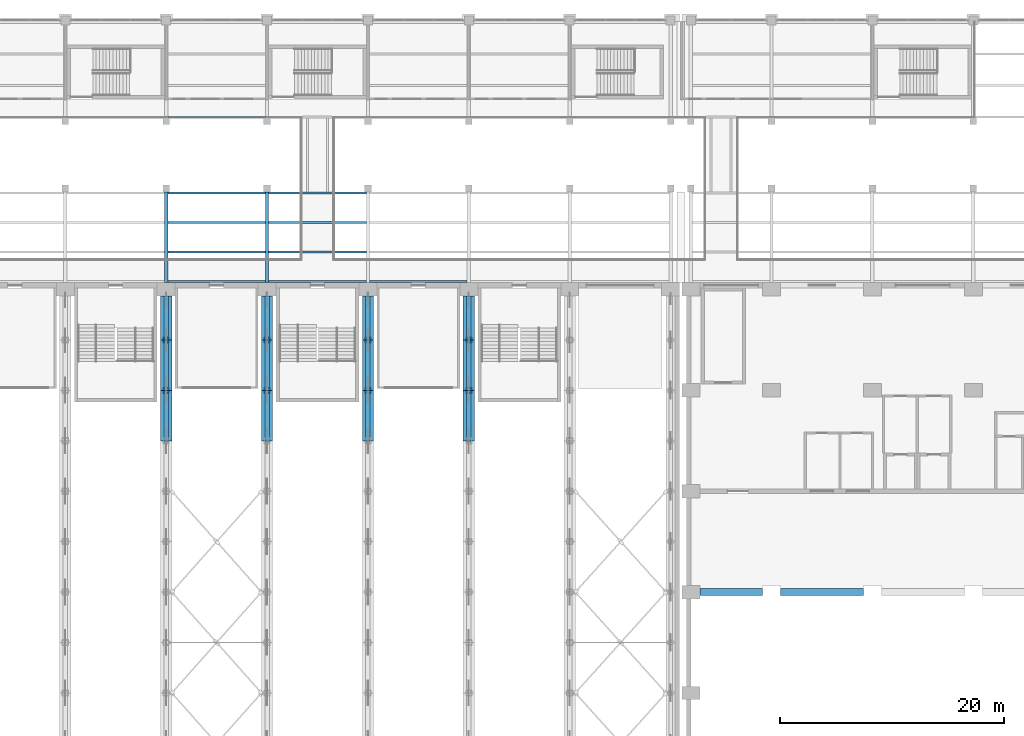
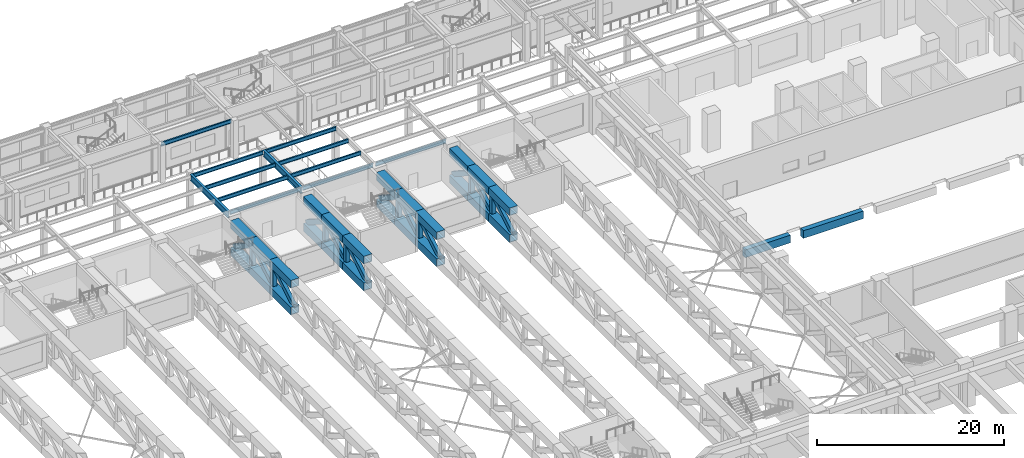
# One storey, part 17 of 76: 44 members, 14 beams.
"""IFC4 building model written with IfcOpenShell, lengths in metres."""

from ifc_helpers import new_model, si_unit, direction, frame, origin, origin_2d, place, context, subcontext, project, spatial, rectangle, hollow_rectangle, i_section, extrude, material, material_profile, profile_set, type_object, element, save


model = new_model("IFC4")

# Units and contexts
model_context = context("Model", 3, precision=1e-05, world=origin(), true_north=direction((0.0, 1.0)))
body_context = subcontext(model_context, "Body", "Model", "MODEL_VIEW")
ifc_project = project(units=[si_unit("LENGTHUNIT", "METRE"), si_unit("AREAUNIT", "SQUARE_METRE"), si_unit("VOLUMEUNIT", "CUBIC_METRE"), si_unit("PLANEANGLEUNIT", "RADIAN"), si_unit("MASSUNIT", "GRAM", prefix="KILO")], contexts=[model_context])

# Site, building, storey
site_placement = place(None, origin())
site = spatial("IfcSite", under=ifc_project, at=site_placement, CompositionType="ELEMENT")
building_placement = place(site_placement, origin())
building = spatial("IfcBuilding", under=site, at=building_placement, Name="Aravalli Gate Trade Fair Centre", CompositionType="ELEMENT")
storey_placement = place(building_placement, frame((0.0, 0.0, 10.0)))
storey = spatial("IfcBuildingStorey", under=building, at=storey_placement, Name="L02", CompositionType="ELEMENT", Elevation=10.0)

# Beams
ifc_material_1 = material(Name="Concrete M45", Category="concrete")
ifc_material_profile_1 = material_profile(ifc_material_1, rectangle(XDim=0.60009765625, YDim=1.0, at=origin_2d()), Name="RC 600x1000")
ifc_profile_set_1 = profile_set([ifc_material_profile_1], Name="Concrete M45")
beam_type_1 = type_object("IfcBeamType", Name="Congress RC beam 600 x 1000", PredefinedType="BEAM", material=ifc_profile_set_1)
beam_1_placement = place(storey_placement, frame((107.60009765625, 82.0, -0.5), z_axis=(1.0, 0.0, 0.0), x_axis=(0.0, 1.0, 0.0)))
element("IfcBeam", 1, at=beam_1_placement, inside=storey, type_object=beam_type_1, Name="Balcony front beam L02 107 to 114", PredefinedType="BEAM", context=body_context, shape_type="SweptSolid", body=[
    extrude(rectangle(XDim=0.60009765625, YDim=1.0, at=origin_2d()), origin(), (0.0, 0.0, 1.0), 5.599853515625),
])
beam_2_placement = place(storey_placement, frame((114.800048828125, 82.0, -0.5), z_axis=(1.0, 0.0, 0.0), x_axis=(0.0, 1.0, 0.0)))
element("IfcBeam", 2, at=beam_2_placement, inside=storey, type_object=beam_type_1, Name="Balcony front beam L02 114 to 123", PredefinedType="BEAM", context=body_context, shape_type="SweptSolid", body=[
    extrude(rectangle(XDim=0.60009765625, YDim=1.0, at=origin_2d()), origin(), (0.0, 0.0, 1.0), 7.39990234375),
])

# Members
ifc_material_2 = material(Name="Steel E350", Category="steel")
ifc_material_profile_2 = material_profile(ifc_material_2, hollow_rectangle(XDim=1.0, YDim=1.0, WallThickness=0.050048828125, at=origin_2d()), Name="BOX 1000x1000x50")
ifc_profile_set_2 = profile_set([ifc_material_profile_2], Name="Steel E350")
member_type_1 = type_object("IfcMemberType", Name="FT1 chord BOX 1000x1000x50", PredefinedType="CHORD", material=ifc_profile_set_2)
for number, where, z_axis, x_axis, name in (
    (3, (60.0, 95.5, 0.5), (0.0, 1.0, 0.0), (-1.0, 0.0, 0.0), "FT1 line 7 bottom chord 12"),
    (4, (60.0, 95.5, 4.0), (0.0, 1.0, 0.0), (-1.0, 0.0, 0.0), "FT1 line 7 top chord 12"),
    (5, (60.0, 100.0, 0.5), (0.0, 1.0, 0.0), (-1.0, 0.0, 0.0), "FT1 line 7 bottom chord 13"),
    (6, (60.0, 100.0, 4.0), (0.0, 1.0, 0.0), (-1.0, 0.0, 0.0), "FT1 line 7 top chord 13"),
):
    element("IfcMember", number, at=place(storey_placement, frame(where, z_axis=z_axis, x_axis=x_axis)), inside=storey, type_object=member_type_1, Name=name, PredefinedType="CHORD", context=body_context, shape_type="SweptSolid", body=[
        extrude(hollow_rectangle(XDim=1.0, YDim=1.0, WallThickness=0.050048828125, at=origin_2d()), origin(), (0.0, 0.0, 1.0), 4.5),
    ])
for number, where, z_axis, x_axis, name in (
    (7, (60.0, 104.5, 0.5), (0.0, 1.0, 0.0), (-1.0, 0.0, 0.0), "FT1 line 7 bottom chord 14"),
    (8, (60.0, 104.5, 4.0), (0.0, 1.0, 0.0), (-1.0, 0.0, 0.0), "FT1 line 7 top chord 14"),
):
    element("IfcMember", number, at=place(storey_placement, frame(where, z_axis=z_axis, x_axis=x_axis)), inside=storey, type_object=member_type_1, Name=name, PredefinedType="CHORD", context=body_context, shape_type="SweptSolid", body=[
        extrude(hollow_rectangle(XDim=1.0, YDim=1.0, WallThickness=0.050048828125, at=origin_2d()), origin(), (0.0, 0.0, 1.0), 3.89990234375),
    ])
for number, where, z_axis, x_axis, name in (
    (9, (69.0, 95.5, 0.5), (0.0, 1.0, 0.0), (-1.0, 0.0, 0.0), "FT1 line 8 bottom chord 12"),
    (10, (69.0, 95.5, 4.0), (0.0, 1.0, 0.0), (-1.0, 0.0, 0.0), "FT1 line 8 top chord 12"),
    (11, (69.0, 100.0, 0.5), (0.0, 1.0, 0.0), (-1.0, 0.0, 0.0), "FT1 line 8 bottom chord 13"),
    (12, (69.0, 100.0, 4.0), (0.0, 1.0, 0.0), (-1.0, 0.0, 0.0), "FT1 line 8 top chord 13"),
):
    element("IfcMember", number, at=place(storey_placement, frame(where, z_axis=z_axis, x_axis=x_axis)), inside=storey, type_object=member_type_1, Name=name, PredefinedType="CHORD", context=body_context, shape_type="SweptSolid", body=[
        extrude(hollow_rectangle(XDim=1.0, YDim=1.0, WallThickness=0.050048828125, at=origin_2d()), origin(), (0.0, 0.0, 1.0), 4.5),
    ])
for number, where, z_axis, x_axis, name in (
    (13, (69.0, 104.5, 0.5), (0.0, 1.0, 0.0), (-1.0, 0.0, 0.0), "FT1 line 8 bottom chord 14"),
    (14, (69.0, 104.5, 4.0), (0.0, 1.0, 0.0), (-1.0, 0.0, 0.0), "FT1 line 8 top chord 14"),
):
    element("IfcMember", number, at=place(storey_placement, frame(where, z_axis=z_axis, x_axis=x_axis)), inside=storey, type_object=member_type_1, Name=name, PredefinedType="CHORD", context=body_context, shape_type="SweptSolid", body=[
        extrude(hollow_rectangle(XDim=1.0, YDim=1.0, WallThickness=0.050048828125, at=origin_2d()), origin(), (0.0, 0.0, 1.0), 3.89990234375),
    ])
for number, where, z_axis, x_axis, name in (
    (15, (78.0, 95.5, 0.5), (0.0, 1.0, 0.0), (-1.0, 0.0, 0.0), "FT1 line 9 bottom chord 12"),
    (16, (78.0, 95.5, 4.0), (0.0, 1.0, 0.0), (-1.0, 0.0, 0.0), "FT1 line 9 top chord 12"),
    (17, (78.0, 100.0, 0.5), (0.0, 1.0, 0.0), (-1.0, 0.0, 0.0), "FT1 line 9 bottom chord 13"),
    (18, (78.0, 100.0, 4.0), (0.0, 1.0, 0.0), (-1.0, 0.0, 0.0), "FT1 line 9 top chord 13"),
):
    element("IfcMember", number, at=place(storey_placement, frame(where, z_axis=z_axis, x_axis=x_axis)), inside=storey, type_object=member_type_1, Name=name, PredefinedType="CHORD", context=body_context, shape_type="SweptSolid", body=[
        extrude(hollow_rectangle(XDim=1.0, YDim=1.0, WallThickness=0.050048828125, at=origin_2d()), origin(), (0.0, 0.0, 1.0), 4.5),
    ])
for number, where, z_axis, x_axis, name in (
    (19, (78.0, 104.5, 0.5), (0.0, 1.0, 0.0), (-1.0, 0.0, 0.0), "FT1 line 9 bottom chord 14"),
    (20, (78.0, 104.5, 4.0), (0.0, 1.0, 0.0), (-1.0, 0.0, 0.0), "FT1 line 9 top chord 14"),
):
    element("IfcMember", number, at=place(storey_placement, frame(where, z_axis=z_axis, x_axis=x_axis)), inside=storey, type_object=member_type_1, Name=name, PredefinedType="CHORD", context=body_context, shape_type="SweptSolid", body=[
        extrude(hollow_rectangle(XDim=1.0, YDim=1.0, WallThickness=0.050048828125, at=origin_2d()), origin(), (0.0, 0.0, 1.0), 3.89990234375),
    ])
for number, where, z_axis, x_axis, name in (
    (21, (87.0, 95.5, 0.5), (0.0, 1.0, 0.0), (-1.0, 0.0, 0.0), "FT1 line 10 bottom chord 12"),
    (22, (87.0, 95.5, 4.0), (0.0, 1.0, 0.0), (-1.0, 0.0, 0.0), "FT1 line 10 top chord 12"),
    (23, (87.0, 100.0, 0.5), (0.0, 1.0, 0.0), (-1.0, 0.0, 0.0), "FT1 line 10 bottom chord 13"),
    (24, (87.0, 100.0, 4.0), (0.0, 1.0, 0.0), (-1.0, 0.0, 0.0), "FT1 line 10 top chord 13"),
):
    element("IfcMember", number, at=place(storey_placement, frame(where, z_axis=z_axis, x_axis=x_axis)), inside=storey, type_object=member_type_1, Name=name, PredefinedType="CHORD", context=body_context, shape_type="SweptSolid", body=[
        extrude(hollow_rectangle(XDim=1.0, YDim=1.0, WallThickness=0.050048828125, at=origin_2d()), origin(), (0.0, 0.0, 1.0), 4.5),
    ])
for number, where, z_axis, x_axis, name in (
    (25, (87.0, 104.5, 0.5), (0.0, 1.0, 0.0), (-1.0, 0.0, 0.0), "FT1 line 10 bottom chord 14"),
    (26, (87.0, 104.5, 4.0), (0.0, 1.0, 0.0), (-1.0, 0.0, 0.0), "FT1 line 10 top chord 14"),
):
    element("IfcMember", number, at=place(storey_placement, frame(where, z_axis=z_axis, x_axis=x_axis)), inside=storey, type_object=member_type_1, Name=name, PredefinedType="CHORD", context=body_context, shape_type="SweptSolid", body=[
        extrude(hollow_rectangle(XDim=1.0, YDim=1.0, WallThickness=0.050048828125, at=origin_2d()), origin(), (0.0, 0.0, 1.0), 3.89990234375),
    ])
ifc_material_profile_3 = material_profile(ifc_material_2, hollow_rectangle(XDim=0.39990234375, YDim=0.60009765625, WallThickness=0.030029296875, at=origin_2d()), Name="RHS 600x400x30")
ifc_profile_set_3 = profile_set([ifc_material_profile_3], Name="Steel E350")
member_type_2 = type_object("IfcMemberType", Name="FT1 diagonal RHS 600x400x30", PredefinedType="BRACE", material=ifc_profile_set_3)
for number, where, z_axis, x_axis, name in (
    (27, (60.0, 99.89501953125, 3.5), (0.0, -0.863999951417, -0.503491890651), (1.0, 0.0, 0.0), "FT1 line 7 diagonal 12"),
    (28, (60.0, 104.39501953125, 3.5), (0.0, -0.863999951417, -0.503491890651), (1.0, 0.0, 0.0), "FT1 line 7 diagonal 13"),
):
    element("IfcMember", number, at=place(storey_placement, frame(where, z_axis=z_axis, x_axis=x_axis)), inside=storey, type_object=member_type_2, Name=name, PredefinedType="BRACE", context=body_context, shape_type="SweptSolid", body=[
        extrude(hollow_rectangle(XDim=0.39990234375, YDim=0.60009765625, WallThickness=0.030029296875, at=origin_2d()), origin(), (0.0, 0.0, 1.0), 4.96533203125),
    ])
member_1_placement = place(storey_placement, frame((60.0, 108.39990234375, 1.0), z_axis=(0.0, -0.841872999265, 0.53967569253), x_axis=(1.0, 0.0, 0.0)))
element("IfcMember", 29, at=member_1_placement, inside=storey, type_object=member_type_2, Name="FT1 line 7 diagonal 14", PredefinedType="BRACE", context=body_context, shape_type="SweptSolid", body=[
    extrude(hollow_rectangle(XDim=0.39990234375, YDim=0.60009765625, WallThickness=0.030029296875, at=origin_2d()), origin(), (0.0, 0.0, 1.0), 4.63232421875),
])
for number, where, z_axis, x_axis, name in (
    (30, (69.0, 99.89501953125, 3.5), (0.0, -0.863999951417, -0.503491890651), (1.0, 0.0, 0.0), "FT1 line 8 diagonal 12"),
    (31, (69.0, 104.39501953125, 3.5), (0.0, -0.863999951417, -0.503491890651), (1.0, 0.0, 0.0), "FT1 line 8 diagonal 13"),
):
    element("IfcMember", number, at=place(storey_placement, frame(where, z_axis=z_axis, x_axis=x_axis)), inside=storey, type_object=member_type_2, Name=name, PredefinedType="BRACE", context=body_context, shape_type="SweptSolid", body=[
        extrude(hollow_rectangle(XDim=0.39990234375, YDim=0.60009765625, WallThickness=0.030029296875, at=origin_2d()), origin(), (0.0, 0.0, 1.0), 4.96533203125),
    ])
member_2_placement = place(storey_placement, frame((69.0, 108.39990234375, 1.0), z_axis=(0.0, -0.841872999265, 0.53967569253), x_axis=(1.0, 0.0, 0.0)))
element("IfcMember", 32, at=member_2_placement, inside=storey, type_object=member_type_2, Name="FT1 line 8 diagonal 14", PredefinedType="BRACE", context=body_context, shape_type="SweptSolid", body=[
    extrude(hollow_rectangle(XDim=0.39990234375, YDim=0.60009765625, WallThickness=0.030029296875, at=origin_2d()), origin(), (0.0, 0.0, 1.0), 4.63232421875),
])
for number, where, z_axis, x_axis, name in (
    (33, (78.0, 99.89501953125, 3.5), (0.0, -0.863999951417, -0.503491890651), (1.0, 0.0, 0.0), "FT1 line 9 diagonal 12"),
    (34, (78.0, 104.39501953125, 3.5), (0.0, -0.863999951417, -0.503491890651), (1.0, 0.0, 0.0), "FT1 line 9 diagonal 13"),
):
    element("IfcMember", number, at=place(storey_placement, frame(where, z_axis=z_axis, x_axis=x_axis)), inside=storey, type_object=member_type_2, Name=name, PredefinedType="BRACE", context=body_context, shape_type="SweptSolid", body=[
        extrude(hollow_rectangle(XDim=0.39990234375, YDim=0.60009765625, WallThickness=0.030029296875, at=origin_2d()), origin(), (0.0, 0.0, 1.0), 4.96533203125),
    ])
member_3_placement = place(storey_placement, frame((78.0, 108.39990234375, 1.0), z_axis=(0.0, -0.841872999265, 0.53967569253), x_axis=(1.0, 0.0, 0.0)))
element("IfcMember", 35, at=member_3_placement, inside=storey, type_object=member_type_2, Name="FT1 line 9 diagonal 14", PredefinedType="BRACE", context=body_context, shape_type="SweptSolid", body=[
    extrude(hollow_rectangle(XDim=0.39990234375, YDim=0.60009765625, WallThickness=0.030029296875, at=origin_2d()), origin(), (0.0, 0.0, 1.0), 4.63232421875),
])
for number, where, z_axis, x_axis, name in (
    (36, (87.0, 99.89501953125, 3.5), (0.0, -0.863999951417, -0.503491890651), (1.0, 0.0, 0.0), "FT1 line 10 diagonal 12"),
    (37, (87.0, 104.39501953125, 3.5), (0.0, -0.863999951417, -0.503491890651), (1.0, 0.0, 0.0), "FT1 line 10 diagonal 13"),
):
    element("IfcMember", number, at=place(storey_placement, frame(where, z_axis=z_axis, x_axis=x_axis)), inside=storey, type_object=member_type_2, Name=name, PredefinedType="BRACE", context=body_context, shape_type="SweptSolid", body=[
        extrude(hollow_rectangle(XDim=0.39990234375, YDim=0.60009765625, WallThickness=0.030029296875, at=origin_2d()), origin(), (0.0, 0.0, 1.0), 4.96533203125),
    ])
member_4_placement = place(storey_placement, frame((87.0, 108.39990234375, 1.0), z_axis=(0.0, -0.841872999265, 0.53967569253), x_axis=(1.0, 0.0, 0.0)))
element("IfcMember", 38, at=member_4_placement, inside=storey, type_object=member_type_2, Name="FT1 line 10 diagonal 14", PredefinedType="BRACE", context=body_context, shape_type="SweptSolid", body=[
    extrude(hollow_rectangle(XDim=0.39990234375, YDim=0.60009765625, WallThickness=0.030029296875, at=origin_2d()), origin(), (0.0, 0.0, 1.0), 4.63232421875),
])
ifc_material_profile_4 = material_profile(ifc_material_2, hollow_rectangle(XDim=0.5, YDim=0.5, WallThickness=0.02490234375, at=origin_2d()), Name="BOX 500x500x25")
ifc_profile_set_4 = profile_set([ifc_material_profile_4], Name="Steel E350")
member_type_3 = type_object("IfcMemberType", Name="FT1 post BOX 500x500x25", PredefinedType="POST", material=ifc_profile_set_4)
for number, where, z_axis, x_axis, name in (
    (39, (60.0, 100.0, 1.0), (0.0, 0.0, 1.0), (1.0, 0.0, 0.0), "FT1 line 7 post 12"),
    (40, (60.0, 104.5, 1.0), (0.0, 0.0, 1.0), (1.0, 0.0, 0.0), "FT1 line 7 post 13"),
    (41, (69.0, 100.0, 1.0), (0.0, 0.0, 1.0), (1.0, 0.0, 0.0), "FT1 line 8 post 12"),
    (42, (69.0, 104.5, 1.0), (0.0, 0.0, 1.0), (1.0, 0.0, 0.0), "FT1 line 8 post 13"),
    (43, (78.0, 100.0, 1.0), (0.0, 0.0, 1.0), (1.0, 0.0, 0.0), "FT1 line 9 post 12"),
    (44, (78.0, 104.5, 1.0), (0.0, 0.0, 1.0), (1.0, 0.0, 0.0), "FT1 line 9 post 13"),
    (45, (87.0, 100.0, 1.0), (0.0, 0.0, 1.0), (1.0, 0.0, 0.0), "FT1 line 10 post 12"),
    (46, (87.0, 104.5, 1.0), (0.0, 0.0, 1.0), (1.0, 0.0, 0.0), "FT1 line 10 post 13"),
):
    element("IfcMember", number, at=place(storey_placement, frame(where, z_axis=z_axis, x_axis=x_axis)), inside=storey, type_object=member_type_3, Name=name, PredefinedType="POST", context=body_context, shape_type="SweptSolid", body=[
        extrude(hollow_rectangle(XDim=0.5, YDim=0.5, WallThickness=0.02490234375, at=origin_2d()), origin(), (0.0, 0.0, 1.0), 2.5),
    ])

# Beams
ifc_material_profile_5 = material_profile(ifc_material_2, i_section(OverallWidth=0.179931640625, OverallDepth=0.5, WebThickness=0.01025390625, FlangeThickness=0.01708984375, at=origin_2d()), Name="ISMB 500")
ifc_profile_set_5 = profile_set([ifc_material_profile_5], Name="Steel E350")
beam_type_2 = type_object("IfcBeamType", Name="ISMB 500 gallery secondary beam", PredefinedType="JOIST", material=ifc_profile_set_5)
for number, where, z_axis, x_axis, name in (
    (47, (60.14990234375, 109.68994140625, 4.550048828125), (1.0, 0.0, 0.0), (0.0, 1.0, 0.0), "Gallery beam S0 07-08 L03"),
    (48, (60.14990234375, 112.330078125, 4.550048828125), (1.0, 0.0, 0.0), (0.0, 1.0, 0.0), "Gallery beam S1 07-08 L03"),
    (49, (60.14990234375, 114.969970703125, 4.550048828125), (1.0, 0.0, 0.0), (0.0, 1.0, 0.0), "Gallery beam S2 07-08 L03"),
    (50, (60.14990234375, 117.610107421875, 4.550048828125), (1.0, 0.0, 0.0), (0.0, 1.0, 0.0), "Gallery beam S3 07-08 L03"),
    (51, (60.14990234375, 124.389892578125, 4.550048828125), (1.0, 0.0, 0.0), (0.0, 1.0, 0.0), "Gallery beam N4 07-08 L03"),
    (52, (69.14990234375, 109.68994140625, 4.550048828125), (1.0, 0.0, 0.0), (0.0, 1.0, 0.0), "Gallery beam S0 08-09 L03"),
    (53, (69.14990234375, 112.330078125, 4.550048828125), (1.0, 0.0, 0.0), (0.0, 1.0, 0.0), "Gallery beam S1 08-09 L03"),
    (54, (69.14990234375, 114.969970703125, 4.550048828125), (1.0, 0.0, 0.0), (0.0, 1.0, 0.0), "Gallery beam S2 08-09 L03"),
    (55, (69.14990234375, 117.610107421875, 4.550048828125), (1.0, 0.0, 0.0), (0.0, 1.0, 0.0), "Gallery beam S3 08-09 L03"),
    (56, (78.14990234375, 109.68994140625, 4.550048828125), (1.0, 0.0, 0.0), (0.0, 1.0, 0.0), "Gallery beam S0 09-10 L03"),
):
    element("IfcBeam", number, at=place(storey_placement, frame(where, z_axis=z_axis, x_axis=x_axis)), inside=storey, type_object=beam_type_2, Name=name, PredefinedType="JOIST", context=body_context, shape_type="SweptSolid", body=[
        extrude(i_section(OverallWidth=0.179931640625, OverallDepth=0.5, WebThickness=0.01025390625, FlangeThickness=0.01708984375, at=origin_2d()), origin(), (0.0, 0.0, 1.0), 8.7001953125),
    ])
ifc_material_profile_6 = material_profile(ifc_material_2, i_section(OverallWidth=0.300048828125, OverallDepth=0.800048828125, WebThickness=0.011962890625, FlangeThickness=0.02490234375, at=origin_2d()), Name="PG 800x300x12x25")
ifc_profile_set_6 = profile_set([ifc_material_profile_6], Name="Steel E350")
beam_type_3 = type_object("IfcBeamType", Name="PG 800x300x12x25 gallery plate girder", PredefinedType="BEAM", material=ifc_profile_set_6)
for number, where, z_axis, x_axis, name in (
    (57, (60.0, 109.60009765625, 4.39990234375), (0.0, 1.0, 0.0), (-1.0, 0.0, 0.0), "Gallery girder S07 L03"),
    (58, (69.0, 109.60009765625, 4.39990234375), (0.0, 1.0, 0.0), (-1.0, 0.0, 0.0), "Gallery girder S08 L03"),
):
    element("IfcBeam", number, at=place(storey_placement, frame(where, z_axis=z_axis, x_axis=x_axis)), inside=storey, type_object=beam_type_3, Name=name, PredefinedType="BEAM", context=body_context, shape_type="SweptSolid", body=[
        extrude(i_section(OverallWidth=0.300048828125, OverallDepth=0.800048828125, WebThickness=0.011962890625, FlangeThickness=0.02490234375, at=origin_2d()), origin(), (0.0, 0.0, 1.0), 8.099853515625),
    ])

save(model, "model.ifc")
